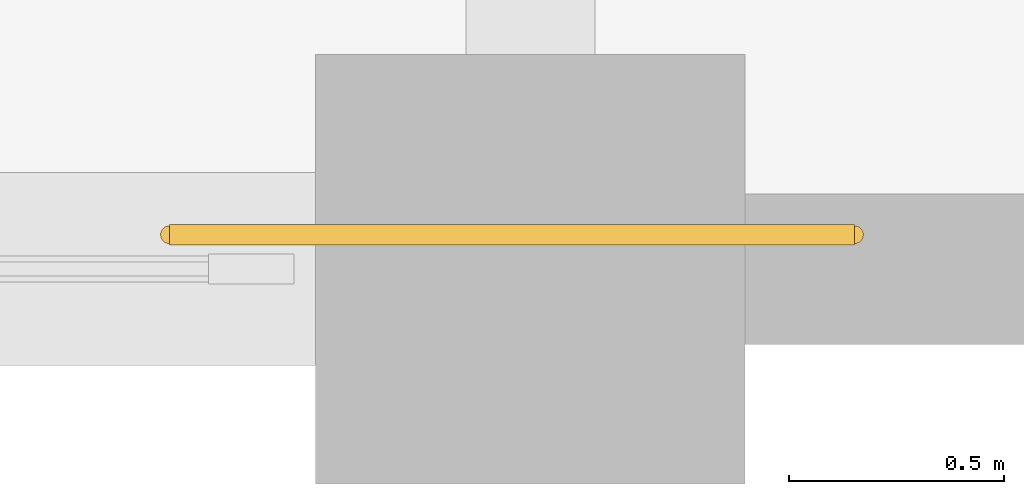
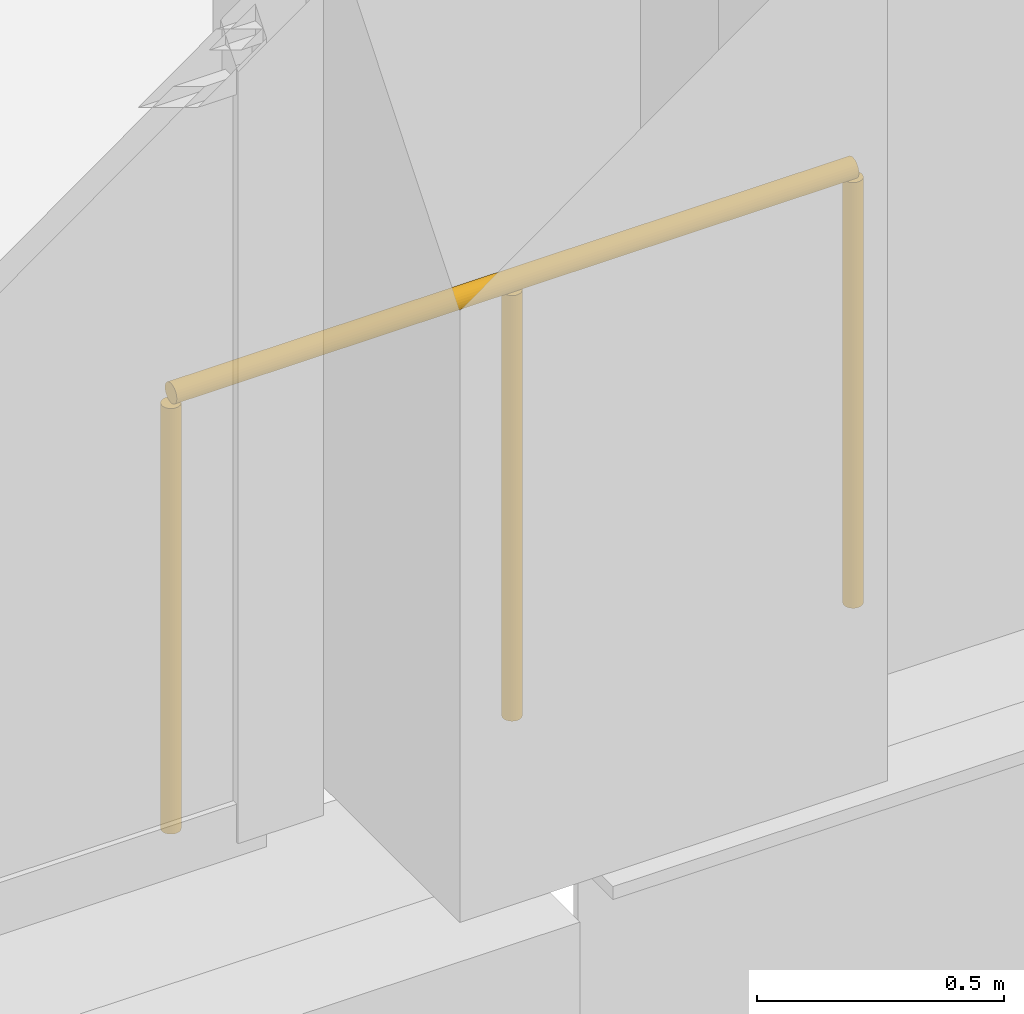
# One storey, part 114 of 129: 1 railing.
"""IFC4 building model written with IfcOpenShell, lengths in metres."""

from ifc_helpers import new_model, si_unit, direction, frame, origin, origin_2d, place, context, subcontext, project, spatial, circle, extrude, material, type_object, element, save


model = new_model("IFC4")

# Units and contexts
model_context = context("Model", 3, precision=1e-05, world=origin(), true_north=direction((0.0, 1.0)))
body_context = subcontext(model_context, "Body", "Model", "MODEL_VIEW")
ifc_project = project(units=[si_unit("LENGTHUNIT", "METRE"), si_unit("AREAUNIT", "SQUARE_METRE"), si_unit("VOLUMEUNIT", "CUBIC_METRE"), si_unit("PLANEANGLEUNIT", "RADIAN"), si_unit("MASSUNIT", "GRAM", prefix="KILO")], contexts=[model_context])

# Site, building, storey
site_placement = place(None, origin())
site = spatial("IfcSite", under=ifc_project, at=site_placement, CompositionType="ELEMENT")
building_placement = place(site_placement, origin())
building = spatial("IfcBuilding", under=site, at=building_placement, Name="Koshinbarg Plaza Stadium", CompositionType="ELEMENT")
storey_placement = place(building_placement, frame((0.0, 0.0, 5.39990234375)))
storey = spatial("IfcBuildingStorey", under=building, at=storey_placement, Name="L01", CompositionType="ELEMENT", Elevation=5.39990234375)

# Railing
ifc_material = material(Name="Toughened laminated glass and stainless steel sightline balustrade", Category="steel")
railing_type = type_object("IfcRailingType", Name="RL-BOWL-1100", PredefinedType="BALUSTRADE", material=ifc_material)
railing_placement = place(storey_placement, frame((228.3544921875, 0.080078125, 0.0)))
element("IfcRailing", 1, at=railing_placement, inside=storey, type_object=railing_type, Name="L01 deck edge safety balustrade 0087", PredefinedType="BALUSTRADE", context=body_context, shape_type="SweptSolid", body=[
    extrude(circle(Radius=0.02392578125, at=origin_2d()), frame((0.0, 0.0, 1.076171875), z_axis=(-1.0, 0.0, 0.0), x_axis=(0.0, -1.0, 0.0)), (0.0, 0.0, 1.0), 1.5947265625),
    extrude(circle(Radius=0.02099609375, at=origin_2d()), origin(), (0.0, 0.0, 1.0), 1.052001953125),
    extrude(circle(Radius=0.02099609375, at=origin_2d()), frame((-0.79736328125, 0.0, 0.0)), (0.0, 0.0, 1.0), 1.052001953125),
    extrude(circle(Radius=0.02099609375, at=origin_2d()), frame((-1.5947265625, 0.0, 0.0)), (0.0, 0.0, 1.0), 1.052001953125),
])

save(model, "model.ifc")
